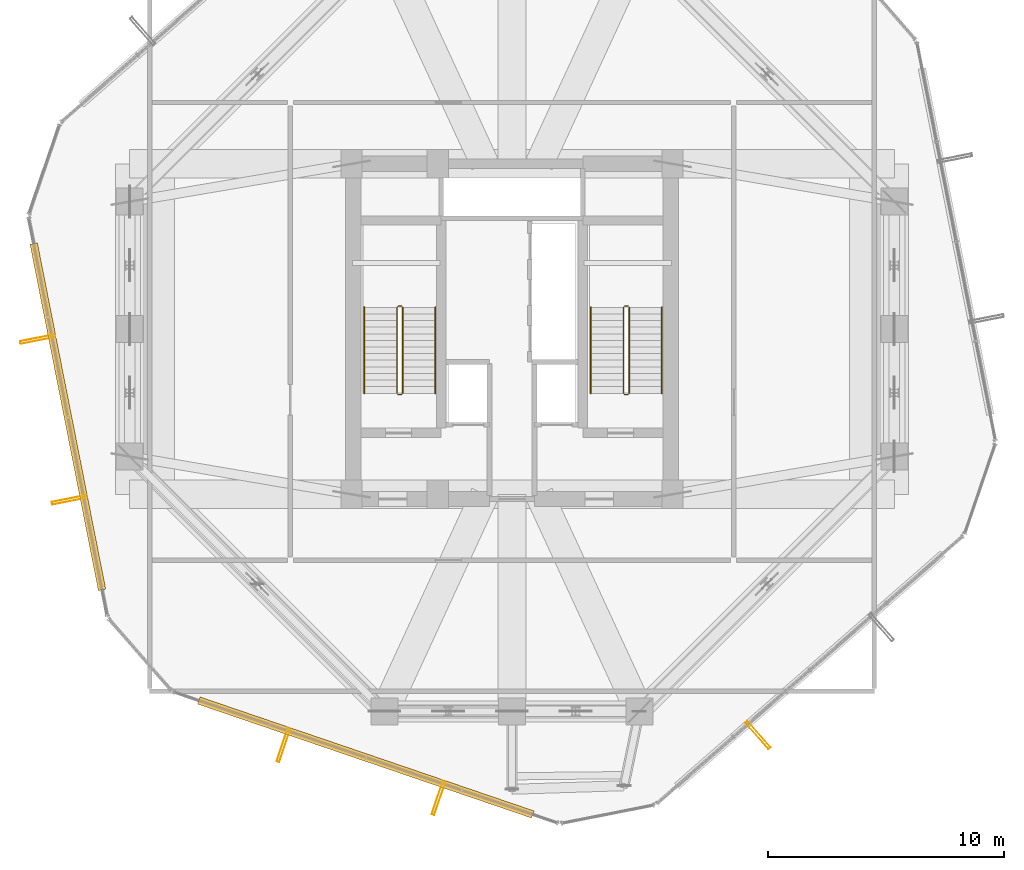
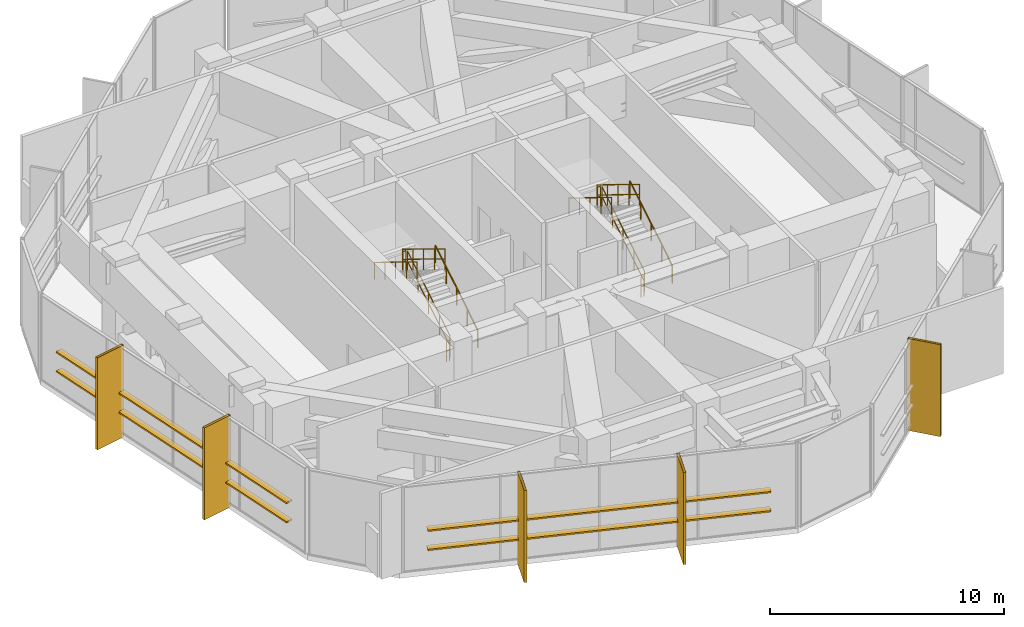
# One storey, part 35 of 36: 12 railings, 9 shading devices.
"""IFC4 building model written with IfcOpenShell, lengths in metres."""

from ifc_helpers import new_model, si_unit, direction, frame, origin, origin_2d, place, context, subcontext, project, spatial, hollow_rectangle, circle, extrude, material, material_profile, profile_set, type_object, element, save


model = new_model("IFC4")

# Units and contexts
model_context = context("Model", 3, precision=1e-05, world=origin(), true_north=direction((0.0, 1.0)))
body_context = subcontext(model_context, "Body", "Model", "MODEL_VIEW")
ifc_project = project(units=[si_unit("LENGTHUNIT", "METRE"), si_unit("AREAUNIT", "SQUARE_METRE"), si_unit("VOLUMEUNIT", "CUBIC_METRE"), si_unit("PLANEANGLEUNIT", "RADIAN"), si_unit("MASSUNIT", "GRAM", prefix="KILO")], contexts=[model_context])

# Site, building, storey
site_placement = place(None, origin())
site = spatial("IfcSite", under=ifc_project, at=site_placement, CompositionType="ELEMENT")
building_placement = place(site_placement, origin())
building = spatial("IfcBuilding", under=site, at=building_placement, Name="Veraguas Prism Commons", CompositionType="ELEMENT")
storey_placement = place(building_placement, frame((0.0, 0.0, 169.550048828125)))
storey = spatial("IfcBuildingStorey", under=building, at=storey_placement, Name="L48", CompositionType="ELEMENT", Elevation=169.550048828125)

# Shading devices
ifc_material_1 = material(Name="Anodised aluminium EN AW-6063 T6", Category="aluminium")
ifc_material_profile_1 = material_profile(ifc_material_1, hollow_rectangle(XDim=0.1201171875, YDim=1.489990234375, WallThickness=0.006103515625, at=origin_2d()), Name="FIN120X1490X6")
ifc_profile_set_1 = profile_set([ifc_material_profile_1], Name="Anodised aluminium EN AW-6063 T6")
shading_device_type_1 = type_object("IfcShadingDeviceType", Name="Deep Pale-Metal Vertical Solar Fin 120x1490", PredefinedType="USERDEFINED", material=ifc_profile_set_1)
for number, where, z_axis, x_axis, name in (
    (1, (3.895263671875, 23.571533203125, -0.300048828125), (0.0, 0.0, 1.0), (0.193546043398, -0.981091193052, 0.0), "Vertical Pale-Metal Solar Fin L48-F3A"),
    (2, (5.23876953125, 16.760986328125, -0.300048828125), (0.0, 0.0, 1.0), (0.193546043398, -0.981091193052, 0.0), "Vertical Pale-Metal Solar Fin L48-F3B"),
    (3, (14.31884765625, 6.37451171875, -0.300048828125), (0.0, 0.0, 1.0), (0.946424045543, -0.322926502501, 0.0), "Vertical Pale-Metal Solar Fin L48-F4A"),
    (4, (20.888671875, 4.1328125, -0.300048828125), (0.0, 0.0, 1.0), (0.946424045543, -0.322926502501, 0.0), "Vertical Pale-Metal Solar Fin L48-F4B"),
    (5, (34.42333984375, 6.802978515625, -0.300048828125), (0.0, 0.0, 1.0), (0.752873428778, 0.658165328956, 0.0), "Vertical Pale-Metal Solar Fin L48-F5A"),
):
    element("IfcShadingDevice", number, at=place(storey_placement, frame(where, z_axis=z_axis, x_axis=x_axis)), inside=storey, type_object=shading_device_type_1, Name=name, ObjectType="FIN", PredefinedType="USERDEFINED", context=body_context, shape_type="SweptSolid", body=[
        extrude(hollow_rectangle(XDim=0.1201171875, YDim=1.489990234375, WallThickness=0.006103515625, at=origin_2d()), origin(), (0.0, 0.0, 1.0), 4.800048828125),
    ])
ifc_material_profile_2 = material_profile(ifc_material_1, hollow_rectangle(XDim=0.080078125, YDim=0.320068359375, WallThickness=0.00390625, at=origin_2d()), Name="LVR80X320X4")
ifc_profile_set_2 = profile_set([ifc_material_profile_2], Name="Anodised aluminium EN AW-6063 T6")
shading_device_type_2 = type_object("IfcShadingDeviceType", Name="Plant Room Acoustic Weather Louvre 80x320", PredefinedType="JALOUSIE", material=ifc_profile_set_2)
for number, where, z_axis, x_axis, name in (
    (6, (3.733154296875, 27.623046875, 1.099853515625), (0.193541023922, -0.981092183263, 0.0), (0.0, 0.0, 1.0), "Plant Acoustic Weather Louvre L48-F3A"),
    (7, (3.733154296875, 27.623046875, 2.099853515625), (0.193541023922, -0.981092183263, 0.0), (0.0, 0.0, 1.0), "Plant Acoustic Weather Louvre L48-F3B"),
    (8, (10.72900390625, 8.260009765625, 1.099853515625), (0.946419607638, -0.322939508697, 0.0), (0.0, 0.0, 1.0), "Plant Acoustic Weather Louvre L48-F4A"),
    (9, (10.72900390625, 8.260009765625, 2.099853515625), (0.946419607638, -0.322939508697, 0.0), (0.0, 0.0, 1.0), "Plant Acoustic Weather Louvre L48-F4B"),
):
    element("IfcShadingDevice", number, at=place(storey_placement, frame(where, z_axis=z_axis, x_axis=x_axis)), inside=storey, type_object=shading_device_type_2, Name=name, PredefinedType="JALOUSIE", context=body_context, shape_type="SweptSolid", body=[
        extrude(hollow_rectangle(XDim=0.080078125, YDim=0.320068359375, WallThickness=0.00390625, at=origin_2d()), origin(), (0.0, 0.0, 1.0), 14.954345703125),
    ])

# Railings
ifc_material_2 = material(Name="Stainless steel AISI 316", Category="steel")
railing_type_1 = type_object("IfcRailingType", Name="Stair and Ramp Stainless Handrail 900", PredefinedType="HANDRAIL", material=ifc_material_2)
railing_1_placement = place(storey_placement, frame((20.75, 21.280029296875, 0.17138671875)))
element("IfcRailing", 10, at=railing_1_placement, inside=storey, type_object=railing_type_1, Name="Stair Handrail ST-01 L48-1", PredefinedType="HANDRAIL", context=body_context, shape_type="SweptSolid", body=[
    extrude(circle(Radius=0.02392578125, at=origin_2d()), frame((0.0, 0.0, 0.8759765625), z_axis=(0.0, 0.852850264322, 0.5221555579), x_axis=(-1.0, 0.0, 0.0)), (0.0, 0.0, 1.0), 4.267822265625),
    extrude(circle(Radius=0.02099609375, at=origin_2d()), origin(), (0.0, 0.0, 1.0), 0.851806640625),
    extrude(circle(Radius=0.02099609375, at=origin_2d()), frame((0.0, 0.909912109375, 0.55712890625)), (0.0, 0.0, 1.0), 0.851806640625),
    extrude(circle(Radius=0.02099609375, at=origin_2d()), frame((0.0, 1.81982421875, 1.1142578125)), (0.0, 0.0, 1.0), 0.851806640625),
    extrude(circle(Radius=0.02099609375, at=origin_2d()), frame((0.0, 2.72998046875, 1.67138671875)), (0.0, 0.0, 1.0), 0.851806640625),
    extrude(circle(Radius=0.02099609375, at=origin_2d()), frame((0.0, 3.639892578125, 2.228515625)), (0.0, 0.0, 1.0), 0.851806640625),
])
railing_2_placement = place(storey_placement, frame((17.739990234375, 24.919921875, 2.5712890625)))
element("IfcRailing", 11, at=railing_2_placement, inside=storey, type_object=railing_type_1, Name="Stair Handrail ST-01 L48-2", PredefinedType="HANDRAIL", context=body_context, shape_type="SweptSolid", body=[
    extrude(circle(Radius=0.02392578125, at=origin_2d()), frame((0.0, 0.0, 0.8759765625), z_axis=(0.0, -0.852824790078, 0.522197163366), x_axis=(1.0, 0.0, 0.0)), (0.0, 0.0, 1.0), 4.26806640625),
    extrude(circle(Radius=0.02099609375, at=origin_2d()), origin(), (0.0, 0.0, 1.0), 0.851806640625),
    extrude(circle(Radius=0.02099609375, at=origin_2d()), frame((0.0, -0.909912109375, 0.55712890625)), (0.0, 0.0, 1.0), 0.851806640625),
    extrude(circle(Radius=0.02099609375, at=origin_2d()), frame((0.0, -1.81982421875, 1.1142578125)), (0.0, 0.0, 1.0), 0.851806640625),
    extrude(circle(Radius=0.02099609375, at=origin_2d()), frame((0.0, -2.72998046875, 1.671630859375)), (0.0, 0.0, 1.0), 0.851806640625),
    extrude(circle(Radius=0.02099609375, at=origin_2d()), frame((0.0, -3.639892578125, 2.228759765625)), (0.0, 0.0, 1.0), 0.851806640625),
])
railing_3_placement = place(storey_placement, frame((30.35009765625, 21.280029296875, 0.17138671875)))
element("IfcRailing", 12, at=railing_3_placement, inside=storey, type_object=railing_type_1, Name="Stair Handrail ST-02 L48-1", PredefinedType="HANDRAIL", context=body_context, shape_type="SweptSolid", body=[
    extrude(circle(Radius=0.02392578125, at=origin_2d()), frame((0.0, 0.0, 0.8759765625), z_axis=(0.0, 0.852850264322, 0.5221555579), x_axis=(-1.0, 0.0, 0.0)), (0.0, 0.0, 1.0), 4.267822265625),
    extrude(circle(Radius=0.02099609375, at=origin_2d()), origin(), (0.0, 0.0, 1.0), 0.851806640625),
    extrude(circle(Radius=0.02099609375, at=origin_2d()), frame((0.0, 0.909912109375, 0.55712890625)), (0.0, 0.0, 1.0), 0.851806640625),
    extrude(circle(Radius=0.02099609375, at=origin_2d()), frame((0.0, 1.81982421875, 1.1142578125)), (0.0, 0.0, 1.0), 0.851806640625),
    extrude(circle(Radius=0.02099609375, at=origin_2d()), frame((0.0, 2.72998046875, 1.67138671875)), (0.0, 0.0, 1.0), 0.851806640625),
    extrude(circle(Radius=0.02099609375, at=origin_2d()), frame((0.0, 3.639892578125, 2.228515625)), (0.0, 0.0, 1.0), 0.851806640625),
])
railing_4_placement = place(storey_placement, frame((27.340087890625, 24.919921875, 2.5712890625)))
element("IfcRailing", 13, at=railing_4_placement, inside=storey, type_object=railing_type_1, Name="Stair Handrail ST-02 L48-2", PredefinedType="HANDRAIL", context=body_context, shape_type="SweptSolid", body=[
    extrude(circle(Radius=0.02392578125, at=origin_2d()), frame((0.0, 0.0, 0.8759765625), z_axis=(0.0, -0.852824790078, 0.522197163366), x_axis=(1.0, 0.0, 0.0)), (0.0, 0.0, 1.0), 4.26806640625),
    extrude(circle(Radius=0.02099609375, at=origin_2d()), origin(), (0.0, 0.0, 1.0), 0.851806640625),
    extrude(circle(Radius=0.02099609375, at=origin_2d()), frame((0.0, -0.909912109375, 0.55712890625)), (0.0, 0.0, 1.0), 0.851806640625),
    extrude(circle(Radius=0.02099609375, at=origin_2d()), frame((0.0, -1.81982421875, 1.1142578125)), (0.0, 0.0, 1.0), 0.851806640625),
    extrude(circle(Radius=0.02099609375, at=origin_2d()), frame((0.0, -2.72998046875, 1.671630859375)), (0.0, 0.0, 1.0), 0.851806640625),
    extrude(circle(Radius=0.02099609375, at=origin_2d()), frame((0.0, -3.639892578125, 2.228759765625)), (0.0, 0.0, 1.0), 0.851806640625),
])
railing_type_2 = type_object("IfcRailingType", Name="Stairwell Safety Guardrail 1100", PredefinedType="GUARDRAIL", material=ifc_material_2)
railing_5_placement = place(storey_placement, frame((19.3701171875, 21.280029296875, 0.17138671875)))
element("IfcRailing", 14, at=railing_5_placement, inside=storey, type_object=railing_type_2, Name="Stair Guard ST-01 L48-1", PredefinedType="GUARDRAIL", context=body_context, shape_type="SweptSolid", body=[
    extrude(circle(Radius=0.02392578125, at=origin_2d()), frame((0.0, 0.0, 1.076171875), z_axis=(0.0, 0.852850264322, 0.5221555579), x_axis=(-1.0, 0.0, 0.0)), (0.0, 0.0, 1.0), 4.267822265625),
    extrude(circle(Radius=0.02392578125, at=origin_2d()), frame((0.0, 0.0, 0.550048828125), z_axis=(0.0, 0.852850264322, 0.5221555579), x_axis=(-1.0, 0.0, 0.0)), (0.0, 0.0, 1.0), 4.267822265625),
    extrude(circle(Radius=0.02099609375, at=origin_2d()), origin(), (0.0, 0.0, 1.0), 1.052001953125),
    extrude(circle(Radius=0.02099609375, at=origin_2d()), frame((0.0, 0.909912109375, 0.55712890625)), (0.0, 0.0, 1.0), 1.052001953125),
    extrude(circle(Radius=0.02099609375, at=origin_2d()), frame((0.0, 1.81982421875, 1.1142578125)), (0.0, 0.0, 1.0), 1.052001953125),
    extrude(circle(Radius=0.02099609375, at=origin_2d()), frame((0.0, 2.72998046875, 1.67138671875)), (0.0, 0.0, 1.0), 1.052001953125),
    extrude(circle(Radius=0.02099609375, at=origin_2d()), frame((0.0, 3.639892578125, 2.228515625)), (0.0, 0.0, 1.0), 1.052001953125),
])
railing_6_placement = place(storey_placement, frame((19.320068359375, 24.969970703125, 2.39990234375)))
element("IfcRailing", 15, at=railing_6_placement, inside=storey, type_object=railing_type_2, Name="Stair Guard ST-01 L48-2", PredefinedType="GUARDRAIL", context=body_context, shape_type="SweptSolid", body=[
    extrude(circle(Radius=0.02392578125, at=origin_2d()), frame((0.0, 0.0, 1.076171875), z_axis=(-1.0, 0.0, 0.0), x_axis=(0.0, -1.0, 0.0)), (0.0, 0.0, 1.0), 0.150146484375),
    extrude(circle(Radius=0.02392578125, at=origin_2d()), frame((0.0, 0.0, 0.550048828125), z_axis=(-1.0, 0.0, 0.0), x_axis=(0.0, -1.0, 0.0)), (0.0, 0.0, 1.0), 0.150146484375),
    extrude(circle(Radius=0.02099609375, at=origin_2d()), origin(), (0.0, 0.0, 1.0), 1.052001953125),
    extrude(circle(Radius=0.02099609375, at=origin_2d()), frame((-0.150146484375, 0.0, 0.0)), (0.0, 0.0, 1.0), 1.052001953125),
])
railing_7_placement = place(storey_placement, frame((19.1201171875, 24.919921875, 2.5712890625)))
element("IfcRailing", 16, at=railing_7_placement, inside=storey, type_object=railing_type_2, Name="Stair Guard ST-01 L48-3", PredefinedType="GUARDRAIL", context=body_context, shape_type="SweptSolid", body=[
    extrude(circle(Radius=0.02392578125, at=origin_2d()), frame((0.0, 0.0, 1.076171875), z_axis=(0.0, -0.852824790078, 0.522197163366), x_axis=(1.0, 0.0, 0.0)), (0.0, 0.0, 1.0), 4.26806640625),
    extrude(circle(Radius=0.02392578125, at=origin_2d()), frame((0.0, 0.0, 0.550048828125), z_axis=(0.0, -0.852824790078, 0.522197163366), x_axis=(1.0, 0.0, 0.0)), (0.0, 0.0, 1.0), 4.26806640625),
    extrude(circle(Radius=0.02099609375, at=origin_2d()), origin(), (0.0, 0.0, 1.0), 1.052001953125),
    extrude(circle(Radius=0.02099609375, at=origin_2d()), frame((0.0, -0.909912109375, 0.55712890625)), (0.0, 0.0, 1.0), 1.052001953125),
    extrude(circle(Radius=0.02099609375, at=origin_2d()), frame((0.0, -1.81982421875, 1.1142578125)), (0.0, 0.0, 1.0), 1.052001953125),
    extrude(circle(Radius=0.02099609375, at=origin_2d()), frame((0.0, -2.72998046875, 1.671630859375)), (0.0, 0.0, 1.0), 1.052001953125),
    extrude(circle(Radius=0.02099609375, at=origin_2d()), frame((0.0, -3.639892578125, 2.228759765625)), (0.0, 0.0, 1.0), 1.052001953125),
])
railing_8_placement = place(storey_placement, frame((19.320068359375, 21.22998046875, 0.0)))
element("IfcRailing", 17, at=railing_8_placement, inside=storey, type_object=railing_type_2, Name="Stair Guard ST-01 L48-4", PredefinedType="GUARDRAIL", context=body_context, shape_type="SweptSolid", body=[
    extrude(circle(Radius=0.02392578125, at=origin_2d()), frame((0.0, 0.0, 1.076171875), z_axis=(-1.0, 0.0, 0.0), x_axis=(0.0, -1.0, 0.0)), (0.0, 0.0, 1.0), 0.150146484375),
    extrude(circle(Radius=0.02392578125, at=origin_2d()), frame((0.0, 0.0, 0.550048828125), z_axis=(-1.0, 0.0, 0.0), x_axis=(0.0, -1.0, 0.0)), (0.0, 0.0, 1.0), 0.150146484375),
    extrude(circle(Radius=0.02099609375, at=origin_2d()), origin(), (0.0, 0.0, 1.0), 1.052001953125),
    extrude(circle(Radius=0.02099609375, at=origin_2d()), frame((-0.150146484375, 0.0, 0.0)), (0.0, 0.0, 1.0), 1.052001953125),
])
railing_9_placement = place(storey_placement, frame((28.969970703125, 21.280029296875, 0.17138671875)))
element("IfcRailing", 18, at=railing_9_placement, inside=storey, type_object=railing_type_2, Name="Stair Guard ST-02 L48-1", PredefinedType="GUARDRAIL", context=body_context, shape_type="SweptSolid", body=[
    extrude(circle(Radius=0.02392578125, at=origin_2d()), frame((0.0, 0.0, 1.076171875), z_axis=(0.0, 0.852850264322, 0.5221555579), x_axis=(-1.0, 0.0, 0.0)), (0.0, 0.0, 1.0), 4.267822265625),
    extrude(circle(Radius=0.02392578125, at=origin_2d()), frame((0.0, 0.0, 0.550048828125), z_axis=(0.0, 0.852850264322, 0.5221555579), x_axis=(-1.0, 0.0, 0.0)), (0.0, 0.0, 1.0), 4.267822265625),
    extrude(circle(Radius=0.02099609375, at=origin_2d()), origin(), (0.0, 0.0, 1.0), 1.052001953125),
    extrude(circle(Radius=0.02099609375, at=origin_2d()), frame((0.0, 0.909912109375, 0.55712890625)), (0.0, 0.0, 1.0), 1.052001953125),
    extrude(circle(Radius=0.02099609375, at=origin_2d()), frame((0.0, 1.81982421875, 1.1142578125)), (0.0, 0.0, 1.0), 1.052001953125),
    extrude(circle(Radius=0.02099609375, at=origin_2d()), frame((0.0, 2.72998046875, 1.67138671875)), (0.0, 0.0, 1.0), 1.052001953125),
    extrude(circle(Radius=0.02099609375, at=origin_2d()), frame((0.0, 3.639892578125, 2.228515625)), (0.0, 0.0, 1.0), 1.052001953125),
])
railing_10_placement = place(storey_placement, frame((28.919921875, 24.969970703125, 2.39990234375)))
element("IfcRailing", 19, at=railing_10_placement, inside=storey, type_object=railing_type_2, Name="Stair Guard ST-02 L48-2", PredefinedType="GUARDRAIL", context=body_context, shape_type="SweptSolid", body=[
    extrude(circle(Radius=0.02392578125, at=origin_2d()), frame((0.0, 0.0, 1.076171875), z_axis=(-1.0, 0.0, 0.0), x_axis=(0.0, -1.0, 0.0)), (0.0, 0.0, 1.0), 0.14990234375),
    extrude(circle(Radius=0.02392578125, at=origin_2d()), frame((0.0, 0.0, 0.550048828125), z_axis=(-1.0, 0.0, 0.0), x_axis=(0.0, -1.0, 0.0)), (0.0, 0.0, 1.0), 0.14990234375),
    extrude(circle(Radius=0.02099609375, at=origin_2d()), origin(), (0.0, 0.0, 1.0), 1.052001953125),
    extrude(circle(Radius=0.02099609375, at=origin_2d()), frame((-0.14990234375, 0.0, 0.0)), (0.0, 0.0, 1.0), 1.052001953125),
])
railing_11_placement = place(storey_placement, frame((28.719970703125, 24.919921875, 2.5712890625)))
element("IfcRailing", 20, at=railing_11_placement, inside=storey, type_object=railing_type_2, Name="Stair Guard ST-02 L48-3", PredefinedType="GUARDRAIL", context=body_context, shape_type="SweptSolid", body=[
    extrude(circle(Radius=0.02392578125, at=origin_2d()), frame((0.0, 0.0, 1.076171875), z_axis=(0.0, -0.852824790078, 0.522197163366), x_axis=(1.0, 0.0, 0.0)), (0.0, 0.0, 1.0), 4.26806640625),
    extrude(circle(Radius=0.02392578125, at=origin_2d()), frame((0.0, 0.0, 0.550048828125), z_axis=(0.0, -0.852824790078, 0.522197163366), x_axis=(1.0, 0.0, 0.0)), (0.0, 0.0, 1.0), 4.26806640625),
    extrude(circle(Radius=0.02099609375, at=origin_2d()), origin(), (0.0, 0.0, 1.0), 1.052001953125),
    extrude(circle(Radius=0.02099609375, at=origin_2d()), frame((0.0, -0.909912109375, 0.55712890625)), (0.0, 0.0, 1.0), 1.052001953125),
    extrude(circle(Radius=0.02099609375, at=origin_2d()), frame((0.0, -1.81982421875, 1.1142578125)), (0.0, 0.0, 1.0), 1.052001953125),
    extrude(circle(Radius=0.02099609375, at=origin_2d()), frame((0.0, -2.72998046875, 1.671630859375)), (0.0, 0.0, 1.0), 1.052001953125),
    extrude(circle(Radius=0.02099609375, at=origin_2d()), frame((0.0, -3.639892578125, 2.228759765625)), (0.0, 0.0, 1.0), 1.052001953125),
])
railing_12_placement = place(storey_placement, frame((28.919921875, 21.22998046875, 0.0)))
element("IfcRailing", 21, at=railing_12_placement, inside=storey, type_object=railing_type_2, Name="Stair Guard ST-02 L48-4", PredefinedType="GUARDRAIL", context=body_context, shape_type="SweptSolid", body=[
    extrude(circle(Radius=0.02392578125, at=origin_2d()), frame((0.0, 0.0, 1.076171875), z_axis=(-1.0, 0.0, 0.0), x_axis=(0.0, -1.0, 0.0)), (0.0, 0.0, 1.0), 0.14990234375),
    extrude(circle(Radius=0.02392578125, at=origin_2d()), frame((0.0, 0.0, 0.550048828125), z_axis=(-1.0, 0.0, 0.0), x_axis=(0.0, -1.0, 0.0)), (0.0, 0.0, 1.0), 0.14990234375),
    extrude(circle(Radius=0.02099609375, at=origin_2d()), origin(), (0.0, 0.0, 1.0), 1.052001953125),
    extrude(circle(Radius=0.02099609375, at=origin_2d()), frame((-0.14990234375, 0.0, 0.0)), (0.0, 0.0, 1.0), 1.052001953125),
])

save(model, "model.ifc")
